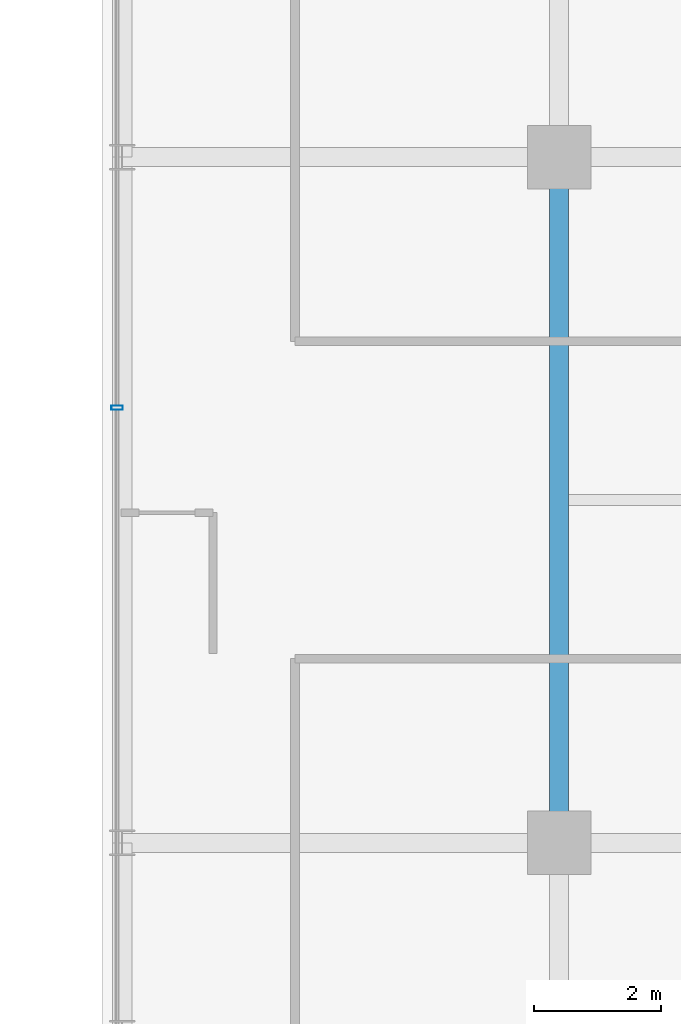
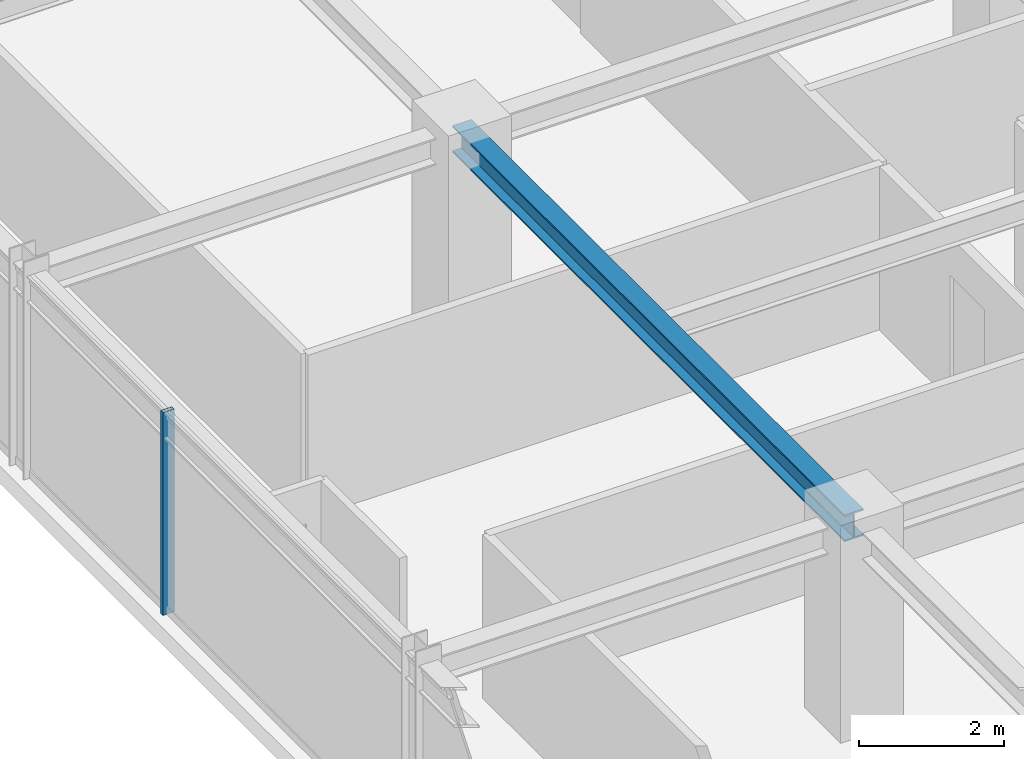
# One storey, part 10 of 35: 1 beam, 1 member, 1 element without a shape of its own.
"""IFC4 building model written with IfcOpenShell, lengths in metres."""

from ifc_helpers import new_model, si_unit, direction, frame, origin, origin_2d, place, context, subcontext, project, spatial, hollow_rectangle, i_section, extrude, source, transform, mapped, material, material_profile, profile_set, type_object, element, aggregate, save


model = new_model("IFC4")

# Units and contexts
model_context = context("Model", 3, precision=1e-05, world=origin(), true_north=direction((0.0, 1.0)))
body_context = subcontext(model_context, "Body", "Model", "MODEL_VIEW")
ifc_project = project(units=[si_unit("LENGTHUNIT", "METRE"), si_unit("AREAUNIT", "SQUARE_METRE"), si_unit("VOLUMEUNIT", "CUBIC_METRE"), si_unit("PLANEANGLEUNIT", "RADIAN"), si_unit("MASSUNIT", "GRAM", prefix="KILO")], contexts=[model_context])

# Site, building, storey
site_placement = place(None, origin())
site = spatial("IfcSite", under=ifc_project, at=site_placement, CompositionType="ELEMENT")
building_placement = place(site_placement, origin())
building = spatial("IfcBuilding", under=site, at=building_placement, Name="Nahalor Promenade Grand Hotel", CompositionType="ELEMENT")
storey_placement = place(building_placement, frame((0.0, 0.0, 216.0)))
storey = spatial("IfcBuildingStorey", under=building, at=storey_placement, Name="L55", CompositionType="ELEMENT", Elevation=216.0)

# Beam
ifc_material_1 = material(Name="Steel S355JR", Category="steel")
ifc_material_profile_1 = material_profile(ifc_material_1, i_section(OverallWidth=0.3, OverallDepth=0.45, WebThickness=0.014, FlangeThickness=0.026, at=origin_2d()), Name="HEB 450")
ifc_profile_set_1 = profile_set([ifc_material_profile_1], Name="Steel S355JR")
beam_type = type_object("IfcBeamType", Name="Beam-Girder-HEB450", PredefinedType="BEAM", material=ifc_profile_set_1)
shared_shape_1 = source(origin(), body_context, "Body", "SweptSolid", [
    extrude(i_section(OverallWidth=0.3, OverallDepth=0.45, WebThickness=0.014, FlangeThickness=0.026, at=origin_2d()), origin(), (0.0, 0.0, 1.0), 10.7998046875),
])
beam_placement = place(storey_placement, frame((-17.0, -5.39990234375, 3.18505859375), z_axis=(0.0, 1.0, 0.0), x_axis=(-1.0, 0.0, 0.0)))
element("IfcBeam", 1, at=beam_placement, inside=storey, type_object=beam_type, Name="BM-L55-GY-0-2", PredefinedType="BEAM", context=body_context, shape_type="MappedRepresentation", body=[
    mapped(shared_shape_1, transform((0.0, 0.0, 0.0), scale=1.0)),
])

# Curtain wall, member
ifc_material_2 = material(Name="Anodised Bronze Aluminium EN AW-6063 T6", Category="aluminium")
curtain_wall_type = type_object("IfcCurtainWallType", Name="CW2 Typical Hotel Flush Bronze Unitised Curtain Wall", PredefinedType="USERDEFINED", material=ifc_material_2)
curtain_wall_placement = place(storey_placement, origin())
curtain_wall = element("IfcCurtainWall", 2, at=curtain_wall_placement, inside=storey, type_object=curtain_wall_type, Name="L55 Curtain Wall CW-L55-W-3", ObjectType="UNITISED_CURTAIN_WALL", PredefinedType="USERDEFINED")
ifc_material_profile_2 = material_profile(ifc_material_2, hollow_rectangle(XDim=0.065, YDim=0.18, WallThickness=0.004, at=origin_2d()), Name="CWM 65x180x4")
ifc_profile_set_2 = profile_set([ifc_material_profile_2], Name="Anodised Bronze Aluminium EN AW-6063 T6")
member_type = type_object("IfcMemberType", Name="CWM2 Typical Bronze Mullion 65x180", PredefinedType="MULLION", material=ifc_profile_set_2)
shared_shape_2 = source(origin(), body_context, "Body", "SweptSolid", [
    extrude(hollow_rectangle(XDim=0.065, YDim=0.18, WallThickness=0.004, at=origin_2d()), origin(), (0.0, 0.0, 1.0), 3.409912109375),
])
member_placement = place(storey_placement, frame((-23.9599609375, 1.453369140625, 0.0), z_axis=(0.0, 0.0, 1.0), x_axis=(0.0, 1.0, 0.0)))
member = element("IfcMember", 3, at=member_placement, type_object=member_type, Name="CW-L55-W-3 Mullion 1", PredefinedType="MULLION", context=body_context, shape_type="MappedRepresentation", body=[
    mapped(shared_shape_2, transform((0.0, 0.0, 0.0), scale=1.0)),
])
aggregate(curtain_wall, [member])

save(model, "model.ifc")
